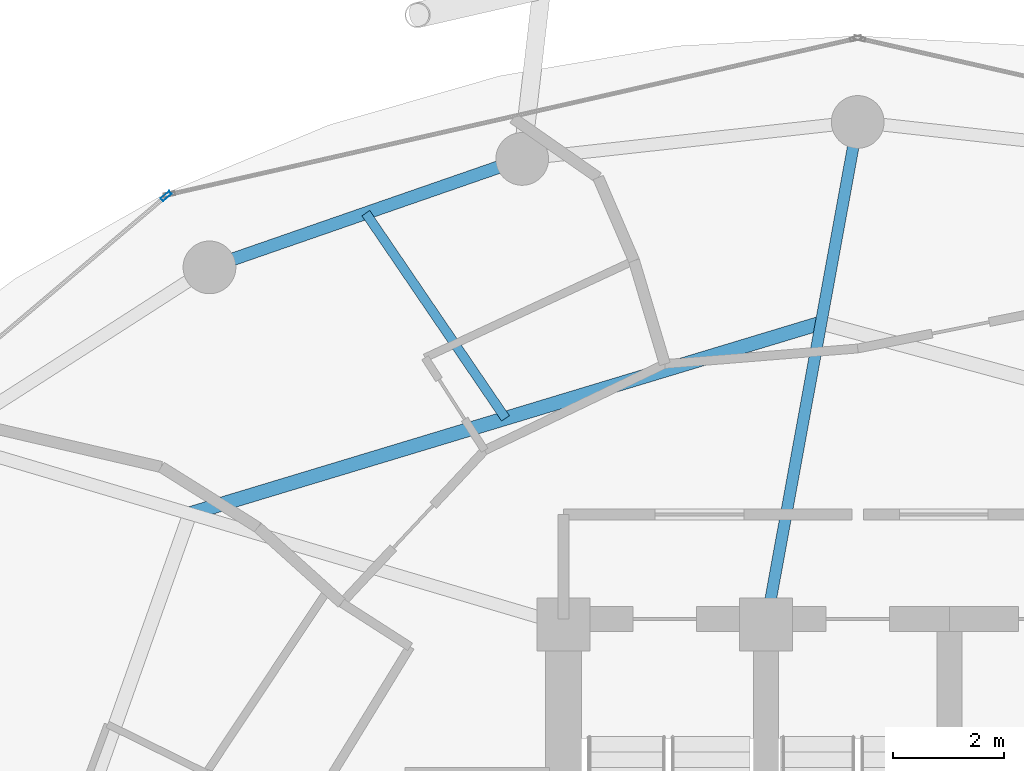
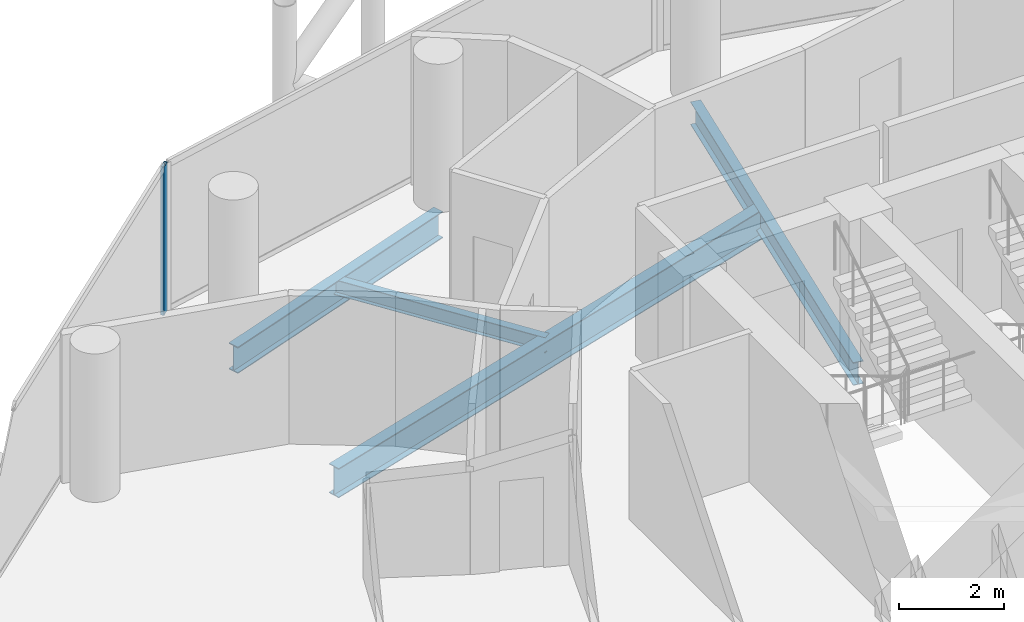
# One storey, part 15 of 26: 4 beams, 1 member, 1 element without a shape of its own.
"""IFC4 building model written with IfcOpenShell, lengths in metres."""

from ifc_helpers import new_model, si_unit, direction, frame, origin, origin_2d, place, context, subcontext, project, spatial, hollow_rectangle, i_section, extrude, material, layer, layer_set, material_profile, profile_set, type_object, element, aggregate, save


model = new_model("IFC4")

# Units and contexts
model_context = context("Model", 3, precision=1e-05, world=origin(), true_north=direction((0.0, 1.0)))
body_context = subcontext(model_context, "Body", "Model", "MODEL_VIEW")
ifc_project = project(units=[si_unit("LENGTHUNIT", "METRE"), si_unit("AREAUNIT", "SQUARE_METRE"), si_unit("VOLUMEUNIT", "CUBIC_METRE"), si_unit("PLANEANGLEUNIT", "RADIAN"), si_unit("MASSUNIT", "GRAM", prefix="KILO")], contexts=[model_context])

# Site, building, storey
site_placement = place(None, origin())
site = spatial("IfcSite", under=ifc_project, at=site_placement, CompositionType="ELEMENT")
building_placement = place(site_placement, origin())
building = spatial("IfcBuilding", under=site, at=building_placement, Name="Nuhasar Tower", CompositionType="ELEMENT")
storey_placement = place(building_placement, frame((0.0, 0.0, 121.949951171875)))
storey = spatial("IfcBuildingStorey", under=building, at=storey_placement, Name="L28", CompositionType="ELEMENT", Elevation=121.949951171875)

# Beams
ifc_material_1 = material(Name="Steel S355", Category="steel")
ifc_material_profile_1 = material_profile(ifc_material_1, i_section(OverallWidth=0.25390625, OverallDepth=0.68408203125, WebThickness=0.012451171875, FlangeThickness=0.018798828125, at=origin_2d()), Name="W27X94")
ifc_profile_set_1 = profile_set([ifc_material_profile_1], Name="Steel S355")
beam_type_1 = type_object("IfcBeamType", Name="BM-INRING-W27X94", PredefinedType="BEAM", material=ifc_profile_set_1)
beam_1_placement = place(storey_placement, frame((38.340087890625, 42.72998046875, -0.592041015625), z_axis=(-0.95722440557, -0.289346569673, 0.0), x_axis=(0.289346569673, -0.95722440557, 0.0)))
element("IfcBeam", 1, at=beam_1_placement, inside=storey, type_object=beam_type_1, Name="L28 Inner Header Beam 06", PredefinedType="BEAM", context=body_context, shape_type="SweptSolid", body=[
    extrude(i_section(OverallWidth=0.25390625, OverallDepth=0.68408203125, WebThickness=0.012451171875, FlangeThickness=0.018798828125, at=origin_2d()), origin(), (0.0, 0.0, 1.0), 11.875244140625),
])
ifc_material_profile_2 = material_profile(ifc_material_1, i_section(OverallWidth=0.1708984375, OverallDepth=0.35205078125, WebThickness=0.0068359375, FlangeThickness=0.009765625, at=origin_2d()), Name="W14X30")
ifc_profile_set_2 = profile_set([ifc_material_profile_2], Name="Steel S355")
beam_type_2 = type_object("IfcBeamType", Name="BM-JST-W14X30", PredefinedType="JOIST", material=ifc_profile_set_2)
beam_2_placement = place(storey_placement, frame((32.656982421875, 41.011962890625, -0.426025390625), z_axis=(-0.562802886474, 0.826591138941, 0.0), x_axis=(-0.826591138941, -0.562802886474, 0.0)))
element("IfcBeam", 2, at=beam_2_placement, inside=storey, type_object=beam_type_2, Name="L28 Secondary Floor Joist 06", PredefinedType="JOIST", context=body_context, shape_type="SweptSolid", body=[
    extrude(i_section(OverallWidth=0.1708984375, OverallDepth=0.35205078125, WebThickness=0.0068359375, FlangeThickness=0.009765625, at=origin_2d()), origin(), (0.0, 0.0, 1.0), 4.47021484375),
])
ifc_material_profile_3 = material_profile(ifc_material_1, i_section(OverallWidth=0.208984375, OverallDepth=0.532958984375, WebThickness=0.01025390625, FlangeThickness=0.015625, at=origin_2d()), Name="W21X62")
ifc_profile_set_3 = profile_set([ifc_material_profile_3], Name="Steel S355")
beam_type_3 = type_object("IfcBeamType", Name="BM-RAD-W21X62", PredefinedType="BEAM", material=ifc_profile_set_3)
beam_3_placement = place(storey_placement, frame((37.35009765625, 37.300048828125, -0.515869140625), z_axis=(0.179352509513, 0.983784873502, 0.0), x_axis=(-0.983784873502, 0.179352509513, 0.0)))
element("IfcBeam", 3, at=beam_3_placement, inside=storey, type_object=beam_type_3, Name="L28 Radial Floor Girder 06", PredefinedType="BEAM", context=body_context, shape_type="SweptSolid", body=[
    extrude(i_section(OverallWidth=0.208984375, OverallDepth=0.532958984375, WebThickness=0.01025390625, FlangeThickness=0.015625, at=origin_2d()), origin(), (0.0, 0.0, 1.0), 9.19921875),
])
ifc_material_profile_4 = material_profile(ifc_material_1, i_section(OverallWidth=0.22998046875, OverallDepth=0.616943359375, WebThickness=0.01318359375, FlangeThickness=0.022216796875, at=origin_2d()), Name="W24X94")
ifc_profile_set_4 = profile_set([ifc_material_profile_4], Name="Steel S355")
beam_type_4 = type_object("IfcBeamType", Name="BM-RING-W24X94", PredefinedType="SPANDREL", material=ifc_profile_set_4)
beam_4_placement = place(storey_placement, frame((32.95703125, 45.68408203125, -0.557861328125), z_axis=(-0.944801380051, -0.327643636066, 0.0), x_axis=(0.327643636066, -0.944801380051, 0.0)))
element("IfcBeam", 4, at=beam_4_placement, inside=storey, type_object=beam_type_4, Name="L28 Perimeter Ring Spandrel 08", PredefinedType="SPANDREL", context=body_context, shape_type="SweptSolid", body=[
    extrude(i_section(OverallWidth=0.22998046875, OverallDepth=0.616943359375, WebThickness=0.01318359375, FlangeThickness=0.022216796875, at=origin_2d()), origin(), (0.0, 0.0, 1.0), 5.961181640625),
])

# Curtain wall, member
ifc_material_2 = material(Name="Aluminium 6063-T6", Category="aluminium")
ifc_layer = layer(ifc_material_2, 0.199951171875)
ifc_layer_set = layer_set([ifc_layer], Name="Aluminium 6063-T6")
curtain_wall_type = type_object("IfcCurtainWallType", Name="CW-Z2-HTL", PredefinedType="NOTDEFINED", material=ifc_layer_set)
curtain_wall_placement = place(storey_placement, origin())
curtain_wall = element("IfcCurtainWall", 5, at=curtain_wall_placement, inside=storey, type_object=curtain_wall_type, Name="L28 Unitised Curtain Wall 05", PredefinedType="NOTDEFINED")
ifc_material_profile_5 = material_profile(ifc_material_2, hollow_rectangle(XDim=0.070068359375, YDim=0.199951171875, WallThickness=0.0048828125, at=origin_2d()), Name="CWM-3")
ifc_profile_set_5 = profile_set([ifc_material_profile_5], Name="Aluminium 6063-T6")
member_type = type_object("IfcMemberType", Name="CW-MUL-S3", PredefinedType="MULLION", material=ifc_profile_set_5)
member_placement = place(storey_placement, frame((26.543212890625, 45.015380859375, 0.0), z_axis=(0.0, 0.0, 1.0), x_axis=(0.646374438324, -0.763020370292, 0.0)))
member = element("IfcMember", 6, at=member_placement, type_object=member_type, Name="CW-Z2 mullion 1", PredefinedType="MULLION", context=body_context, shape_type="SweptSolid", body=[
    extrude(hollow_rectangle(XDim=0.070068359375, YDim=0.199951171875, WallThickness=0.0048828125, at=origin_2d()), origin(), (0.0, 0.0, 1.0), 3.449951171875),
])
aggregate(curtain_wall, [member])

save(model, "model.ifc")
